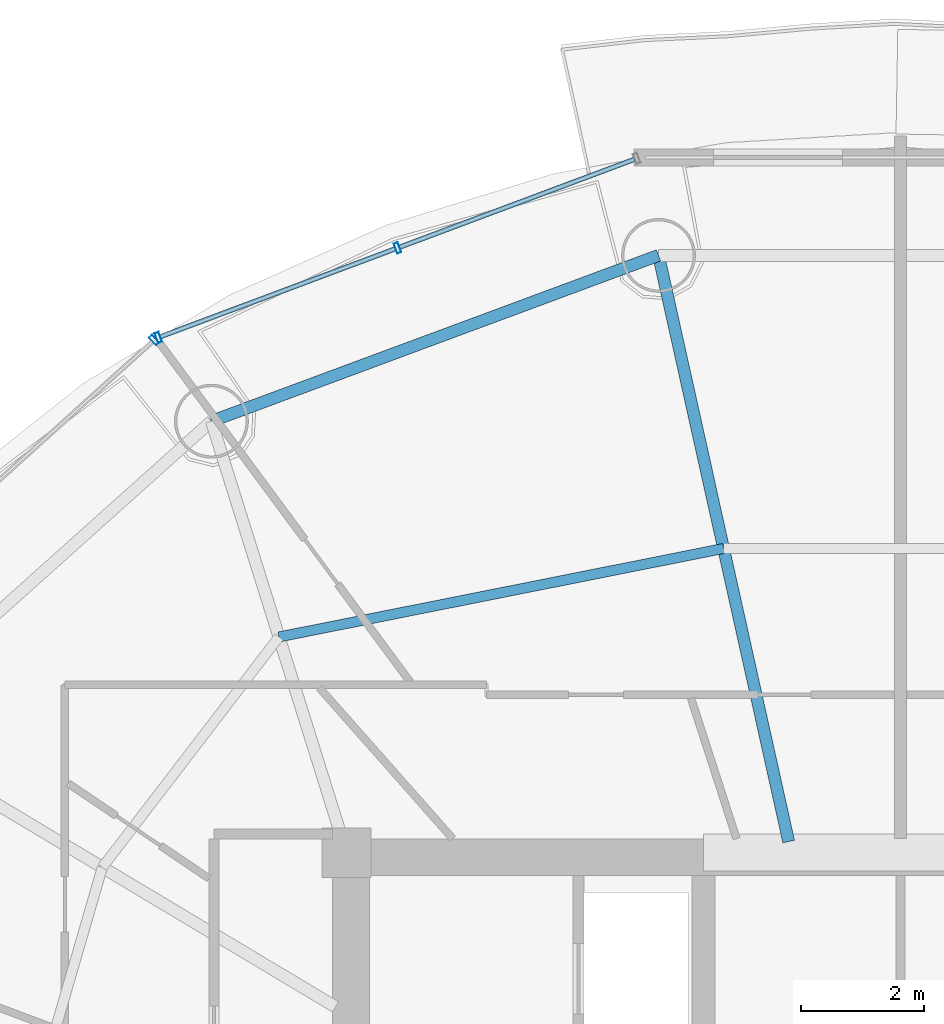
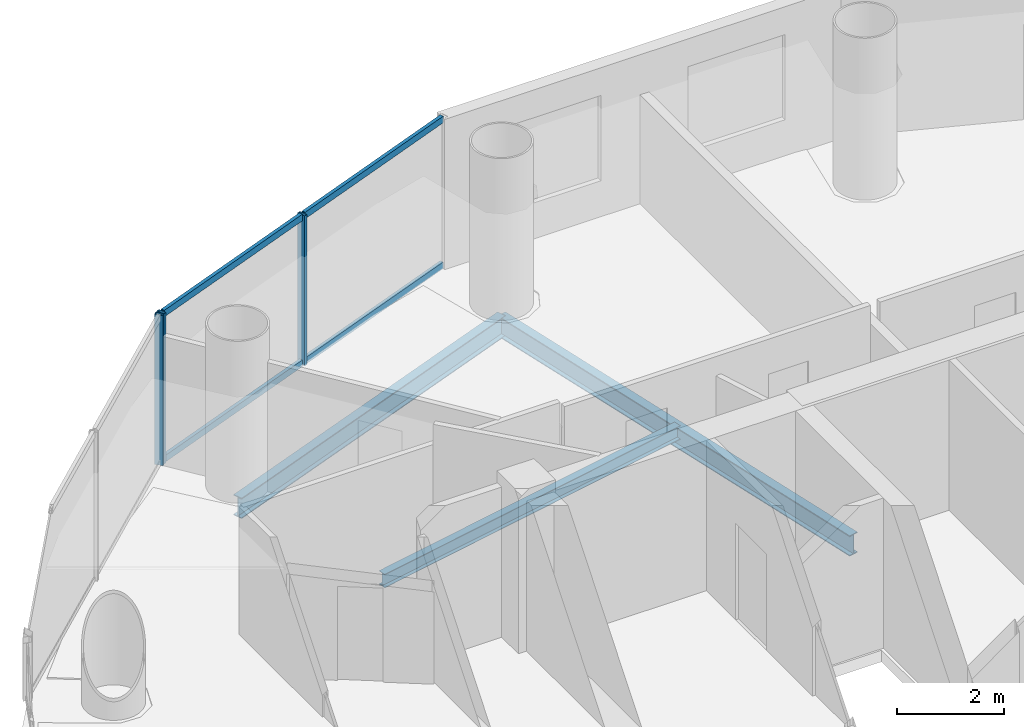
# One storey, part 15 of 26: 7 members, 3 beams, 2 elements without a shape of their own.
"""IFC4 building model written with IfcOpenShell, lengths in metres."""

import ifcopenshell
import ifcopenshell.guid

model = None  # the IFC model being written
_history = None  # IfcOwnerHistory: only IFC2X3 demands one
_inside = {}  # id of a spatial element -> (the spatial element, [elements in it])
_under = {}  # id of a project, library or spatial element -> (it, [spatial elements below it])
_declared = {}  # id of a project -> (the project, [libraries it declares])
_typed = {}  # id of a type object -> (the type object, [elements of that type])
_made_of = {}  # id of a material, layer set ... -> (it, [elements and type objects made of it])


def new_model(schema):
    """Start an empty IFC model of exactly this schema.

    Asked for "IFC4X3", IfcOpenShell would pick the latest addendum, in which some entities
    have other attributes; the version numbers below select the first issue.
    IFC2X3 requires an IfcOwnerHistory on every rooted entity: one is made here for all.
    """
    global model, _history
    if schema == "IFC4X3":
        model = ifcopenshell.file(schema_version=(4, 3, 0, 0))
    else:
        model = ifcopenshell.file(schema=schema)
    _inside.clear()
    _under.clear()
    _declared.clear()
    _typed.clear()
    _made_of.clear()
    _history = None
    if model.schema == "IFC2X3":
        org = make("IfcOrganization", Name="unknown")
        user = make(
            "IfcPersonAndOrganization",
            ThePerson=make("IfcPerson", FamilyName="unknown"),
            TheOrganization=org,
        )
        app = make(
            "IfcApplication",
            ApplicationDeveloper=org,
            Version="unknown",
            ApplicationFullName="unknown",
            ApplicationIdentifier="unknown",
        )
        _history = make(
            "IfcOwnerHistory",
            OwningUser=user,
            OwningApplication=app,
            ChangeAction="ADDED",
            CreationDate=0,
        )
    return model


def make(cls, **values):
    """One entity of the class cls with the attributes given. An attribute that is None is left unset."""
    return model.create_entity(
        cls, **{name: value for name, value in values.items() if value is not None}
    )


def rooted(cls, **values):
    """An entity with a GlobalId (a new one), such as an element, a storey or a relation."""
    return make(cls, GlobalId=ifcopenshell.guid.new(), OwnerHistory=_history, **values)


def si_unit(unit_type, name, prefix=None):
    """IfcSIUnit, for example si_unit("LENGTHUNIT", "METRE", prefix="MILLI")."""
    return make("IfcSIUnit", UnitType=unit_type, Prefix=prefix, Name=name)


def assignment(units):
    """IfcUnitAssignment: the units of a project."""
    return None if units is None else make("IfcUnitAssignment", Units=units)


def point(xyz):
    """IfcCartesianPoint."""
    return None if xyz is None else make("IfcCartesianPoint", Coordinates=xyz)


def direction(xyz):
    """IfcDirection."""
    return None if xyz is None else make("IfcDirection", DirectionRatios=xyz)


def frame(location, z_axis=None, x_axis=None):
    """IfcAxis2Placement3D, a coordinate frame: its origin and axes. An axis left out is left unset."""
    return make(
        "IfcAxis2Placement3D",
        Location=point(location),
        Axis=direction(z_axis),
        RefDirection=direction(x_axis),
    )


def frame_2d(location, x_axis=None):
    """IfcAxis2Placement2D, a coordinate frame in the plane: its origin and x axis."""
    return make(
        "IfcAxis2Placement2D", Location=point(location), RefDirection=direction(x_axis)
    )


def origin():
    """The frame at (0, 0, 0) with its axes left unset."""
    return frame((0.0, 0.0, 0.0))


def origin_2d():
    """The frame at (0, 0) in the plane with its x axis left unset."""
    return frame_2d((0.0, 0.0))


def place(relative_to, where):
    """IfcLocalPlacement: puts the frame where relative to a parent placement (None: the world)."""
    return make(
        "IfcLocalPlacement", PlacementRelTo=relative_to, RelativePlacement=where
    )


def context(
    kind, dimensions, precision=None, world=None, true_north=None, identifier=None
):
    """IfcGeometricRepresentationContext, for example the 3D "Model" context."""
    return make(
        "IfcGeometricRepresentationContext",
        ContextIdentifier=identifier,
        ContextType=kind,
        CoordinateSpaceDimension=dimensions,
        Precision=precision,
        WorldCoordinateSystem=world,
        TrueNorth=true_north,
    )


def subcontext(parent, identifier, kind, view, scale=None):
    """IfcGeometricRepresentationSubContext, for example "Body" below "Model"."""
    return make(
        "IfcGeometricRepresentationSubContext",
        ContextIdentifier=identifier,
        ContextType=kind,
        ParentContext=parent,
        TargetScale=scale,
        TargetView=view,
    )


def project(units=None, contexts=None):
    """IfcProject with its units and contexts."""
    return rooted(
        "IfcProject",
        Name="project",
        RepresentationContexts=contexts,
        UnitsInContext=assignment(units),
    )


def spatial(cls, under=None, at=None, **own):
    """A site, building, storey or space (cls), placed at a placement, below another one or the project."""
    s = rooted(cls, ObjectPlacement=at, **own)
    if under is not None:
        _under.setdefault(under.id(), (under, []))[1].append(s)
    return s


def profile(cls, at=None, kind="AREA", **sizes):
    """A parametric profile (cls). Its sizes go by their IFC names, for example OverallWidth=200.0."""
    return make(cls, ProfileType=kind, Position=at, **sizes)


def hollow_rectangle(**sizes):
    """IfcRectangleHollowProfileDef."""
    return profile("IfcRectangleHollowProfileDef", **sizes)


def i_section(**sizes):
    """IfcIShapeProfileDef."""
    return profile("IfcIShapeProfileDef", **sizes)


def extrude(swept, where, along, depth):
    """IfcExtrudedAreaSolid: the profile swept, set in the frame where, extruded along a direction by depth."""
    return make(
        "IfcExtrudedAreaSolid",
        SweptArea=swept,
        Position=where,
        ExtrudedDirection=direction(along),
        Depth=depth,
    )


def shape(context_of_items, identifier, shape_type, items):
    """IfcShapeRepresentation: the items that make up one representation, for example the "Body"."""
    return make(
        "IfcShapeRepresentation",
        ContextOfItems=context_of_items,
        RepresentationIdentifier=identifier,
        RepresentationType=shape_type,
        Items=items,
    )


def source(mapping_origin, context_of_items, identifier, shape_type, items):
    """IfcRepresentationMap: a shape defined once, which mapped items show again and again."""
    return make(
        "IfcRepresentationMap",
        MappingOrigin=mapping_origin,
        MappedRepresentation=shape(context_of_items, identifier, shape_type, items),
    )


def transform(
    local_origin,
    x_axis=None,
    y_axis=None,
    z_axis=None,
    scale=None,
    scale2=None,
    scale3=None,
    uniform=True,
):
    """IfcCartesianTransformationOperator3D, or its non-uniform kind. x_axis, y_axis, z_axis: its Axis1, 2, 3."""
    if uniform:
        return make(
            "IfcCartesianTransformationOperator3D",
            Axis1=direction(x_axis),
            Axis2=direction(y_axis),
            LocalOrigin=point(local_origin),
            Scale=scale,
            Axis3=direction(z_axis),
        )
    return make(
        "IfcCartesianTransformationOperator3DnonUniform",
        Axis1=direction(x_axis),
        Axis2=direction(y_axis),
        LocalOrigin=point(local_origin),
        Scale=scale,
        Axis3=direction(z_axis),
        Scale2=scale2,
        Scale3=scale3,
    )


def mapped(mapping_source, mapping_target):
    """IfcMappedItem: shows the shape of a source again, moved by a transform."""
    return make(
        "IfcMappedItem", MappingSource=mapping_source, MappingTarget=mapping_target
    )


def material(Name=None, Category=None):
    """IfcMaterial."""
    return make("IfcMaterial", Name=Name, Category=Category)


def material_profile(
    of_material, cross_section, Name=None, Category=None, Priority=None
):
    """IfcMaterialProfile: a cross section and its material."""
    return make(
        "IfcMaterialProfile",
        Name=Name,
        Material=of_material,
        Profile=cross_section,
        Priority=Priority,
        Category=Category,
    )


def profile_set(profiles, Name=None, composite=None):
    """IfcMaterialProfileSet."""
    return make(
        "IfcMaterialProfileSet",
        Name=Name,
        MaterialProfiles=profiles,
        CompositeProfile=composite,
    )


def made_of(thing, what):
    """Note that an element or type object is made of a material, layer set ...; save() writes the relation."""
    if what is not None:
        _made_of.setdefault(what.id(), (what, []))[1].append(thing)
    return thing


def type_object(cls, material=None, **own):
    """A type object (cls), such as IfcWallType, which elements share."""
    return made_of(rooted(cls, **own), material)


def element(
    cls,
    number,
    at=None,
    inside=None,
    cuts=None,
    type_object=None,
    material=None,
    context=None,
    identifier="Body",
    shape_type=None,
    held_by="IfcProductDefinitionShape",
    body=None,
    shapes=None,
    **own,
):
    """One element of the class cls, such as IfcWall. Its Tag is "e" and its number.

    at: its placement. inside: the storey or other place that contains it. cuts: it is an
    opening in that element (IfcRelVoidsElement). A single representation is given by context,
    identifier, shape_type and body (its items); several are given by shapes. held_by: the class
    of the entity that holds the representations. save() writes the other relations.
    """
    e = rooted(cls, Tag="e%d" % number, ObjectPlacement=at, **own)
    if body is not None:
        shapes = [shape(context, identifier, shape_type, body)]
    if shapes is not None:
        e.Representation = make(held_by, Representations=shapes)
    if inside is not None:
        _inside.setdefault(inside.id(), (inside, []))[1].append(e)
    if cuts is not None:
        rooted(
            "IfcRelVoidsElement", RelatingBuildingElement=cuts, RelatedOpeningElement=e
        )
    if type_object is not None:
        _typed.setdefault(type_object.id(), (type_object, []))[1].append(e)
    return made_of(e, material)


def aggregate(whole, parts):
    """IfcRelAggregates: a whole, such as a stair, and the parts it consists of."""
    return rooted("IfcRelAggregates", RelatingObject=whole, RelatedObjects=parts)


def save(model, path):
    """Write the relations noted so far, then the file.

    IfcRelAggregates (storeys below a building ...), IfcRelContainedInSpatialStructure (elements
    in a storey), IfcRelDefinesByType, IfcRelAssociatesMaterial and IfcRelDeclares: one each for
    every whole, place, type object, material and project.
    """
    for whole, parts in _under.values():
        aggregate(whole, parts)
    for where, things in _inside.values():
        rooted(
            "IfcRelContainedInSpatialStructure",
            RelatedElements=things,
            RelatingStructure=where,
        )
    for kind, things in _typed.values():
        rooted("IfcRelDefinesByType", RelatedObjects=things, RelatingType=kind)
    for what, things in _made_of.values():
        rooted("IfcRelAssociatesMaterial", RelatedObjects=things, RelatingMaterial=what)
    for by, libraries in _declared.values():
        rooted("IfcRelDeclares", RelatingContext=by, RelatedDefinitions=libraries)
    model.write(path)


model = new_model("IFC4")

# Units and contexts
model_context = context("Model", 3, precision=1e-05, world=origin(), true_north=direction((-0.2419218956, 0.970295726276)))
body_context = subcontext(model_context, "Body", "Model", "MODEL_VIEW")
ifc_project = project(units=[si_unit("LENGTHUNIT", "METRE"), si_unit("AREAUNIT", "SQUARE_METRE"), si_unit("VOLUMEUNIT", "CUBIC_METRE"), si_unit("PLANEANGLEUNIT", "RADIAN"), si_unit("MASSUNIT", "GRAM", prefix="KILO")], contexts=[model_context])

# Site, building, storey
site_placement = place(None, origin())
site = spatial("IfcSite", under=ifc_project, at=site_placement, CompositionType="ELEMENT")
building_placement = place(site_placement, origin())
building = spatial("IfcBuilding", under=site, at=building_placement, Name="Cobrevalo Terracotta Tower", CompositionType="ELEMENT")
storey_placement = place(building_placement, frame((0.0, 0.0, 209.699951171875)))
storey = spatial("IfcBuildingStorey", under=building, at=storey_placement, Name="L55", CompositionType="ELEMENT", Elevation=209.699951171875)

# Beams
ifc_material_1 = material(Name="Steel S355", Category="steel")
ifc_material_profile_1 = material_profile(ifc_material_1, i_section(OverallWidth=0.194091796875, OverallDepth=0.468994140625, WebThickness=0.011474609375, FlangeThickness=0.0205078125, at=origin_2d()), Name="W 460x106")
ifc_profile_set_1 = profile_set([ifc_material_profile_1], Name="Steel S355")
beam_type_1 = type_object("IfcBeamType", Name="Structural Beam W 460x106 (Steel S355)", PredefinedType="BEAM", material=ifc_profile_set_1)
beam_1_placement = place(storey_placement, frame((34.06884765625, 44.503173828125, -0.49951171875), z_axis=(0.216782061165, -0.976220025382, 0.0), x_axis=(0.976220025382, 0.216782061165, 0.0)))
element("IfcBeam", 1, at=beam_1_placement, inside=storey, type_object=beam_type_1, Name="L55 radial floor girder 05", PredefinedType="BEAM", context=body_context, shape_type="SweptSolid", body=[
    extrude(i_section(OverallWidth=0.194091796875, OverallDepth=0.468994140625, WebThickness=0.011474609375, FlangeThickness=0.0205078125, at=origin_2d()), origin(), (0.0, 0.0, 1.0), 9.755126953125),
])
ifc_material_profile_2 = material_profile(ifc_material_1, i_section(OverallWidth=0.1650390625, OverallDepth=0.31005859375, WebThickness=0.005859375, FlangeThickness=0.009765625, at=origin_2d()), Name="W 310x38.7")
ifc_profile_set_2 = profile_set([ifc_material_profile_2], Name="Steel S355")
beam_type_2 = type_object("IfcBeamType", Name="Structural Joist W 310x38.7 (Steel S355)", PredefinedType="JOIST", material=ifc_profile_set_2)
beam_2_placement = place(storey_placement, frame((35.126220703125, 39.74169921875, -0.419921875), z_axis=(-0.980762562197, -0.195204499418, 0.0), x_axis=(0.195204499418, -0.980762562197, 0.0)))
element("IfcBeam", 2, at=beam_2_placement, inside=storey, type_object=beam_type_2, Name="L55 circumferential secondary floor joist 05", PredefinedType="JOIST", context=body_context, shape_type="SweptSolid", body=[
    extrude(i_section(OverallWidth=0.1650390625, OverallDepth=0.31005859375, WebThickness=0.005859375, FlangeThickness=0.009765625, at=origin_2d()), origin(), (0.0, 0.0, 1.0), 7.365234375),
])
ifc_material_profile_3 = material_profile(ifc_material_1, i_section(OverallWidth=0.194091796875, OverallDepth=0.468994140625, WebThickness=0.011474609375, FlangeThickness=0.0205078125, at=origin_2d()), Name="W 460x106")
ifc_profile_set_3 = profile_set([ifc_material_profile_3], Name="Steel S355")
beam_type_3 = type_object("IfcBeamType", Name="Structural Spandrel W 460x106 (Steel S355)", PredefinedType="SPANDREL", material=ifc_profile_set_3)
beam_3_placement = place(storey_placement, frame((34.06884765625, 44.503173828125, -0.49951171875), z_axis=(-0.937545996665, -0.347861328892, 0.0), x_axis=(0.347861328892, -0.937545996665, 0.0)))
element("IfcBeam", 3, at=beam_3_placement, inside=storey, type_object=beam_type_3, Name="L55 perimeter ring spandrel 05", PredefinedType="SPANDREL", context=body_context, shape_type="SweptSolid", body=[
    extrude(i_section(OverallWidth=0.194091796875, OverallDepth=0.468994140625, WebThickness=0.011474609375, FlangeThickness=0.0205078125, at=origin_2d()), origin(), (0.0, 0.0, 1.0), 7.74755859375),
])

# Curtain wall, members
ifc_material_2 = material(Name="Anodized aluminium", Category="aluminium")
curtain_wall_type = type_object("IfcCurtainWallType", Name="Mid-tower high-wind unitised curtain wall CW-U2", PredefinedType="NOTDEFINED", material=ifc_material_2)
curtain_wall_1_placement = place(storey_placement, origin())
curtain_wall_1 = element("IfcCurtainWall", 4, at=curtain_wall_1_placement, inside=storey, type_object=curtain_wall_type, Name="L55 curtain wall CW-L55-S05", PredefinedType="NOTDEFINED")
ifc_material_profile_4 = material_profile(ifc_material_2, hollow_rectangle(XDim=0.074951171875, YDim=0.14990234375, WallThickness=0.00439453125, at=origin_2d()), Name="CWT 75x150")
ifc_profile_set_4 = profile_set([ifc_material_profile_4], Name="Anodized aluminium")
member_type_1 = type_object("IfcMemberType", Name="Tower unitised aluminium transom 75x150", PredefinedType="USERDEFINED", material=ifc_profile_set_4)
shared_shape_1 = source(origin(), body_context, "Body", "SweptSolid", [
    extrude(hollow_rectangle(XDim=0.074951171875, YDim=0.14990234375, WallThickness=0.00439453125, at=origin_2d()), origin(), (0.0, 0.0, 1.0), 4.069580078125),
])
member_1_placement = place(storey_placement, frame((29.79150390625, 44.609619140625, 0.050048828125), z_axis=(-0.936548420649, -0.350538237259, 0.0), x_axis=(0.350538237259, -0.936548420649, 0.0)))
member_1 = element("IfcMember", 5, at=member_1_placement, type_object=member_type_1, Name="CW-L55-S05 transom B02-T1", ObjectType="TRANSOM", PredefinedType="USERDEFINED", context=body_context, shape_type="MappedRepresentation", body=[
    mapped(shared_shape_1, transform((0.0, 0.0, 0.0), scale=1.0)),
])
member_2_placement = place(storey_placement, frame((29.79150390625, 44.609619140625, 3.385009765625), z_axis=(-0.936548420649, -0.350538237259, 0.0), x_axis=(0.350538237259, -0.936548420649, 0.0)))
member_2 = element("IfcMember", 6, at=member_2_placement, type_object=member_type_1, Name="CW-L55-S05 transom B02-T2", ObjectType="TRANSOM", PredefinedType="USERDEFINED", context=body_context, shape_type="MappedRepresentation", body=[
    mapped(shared_shape_1, transform((0.0, 0.0, 0.0), scale=1.0)),
])
shared_shape_2 = source(origin(), body_context, "Body", "SweptSolid", [
    extrude(hollow_rectangle(XDim=0.074951171875, YDim=0.14990234375, WallThickness=0.00439453125, at=origin_2d()), origin(), (0.0, 0.0, 1.0), 4.06982421875),
])
member_3_placement = place(storey_placement, frame((33.677978515625, 46.06396484375, 0.050048828125), z_axis=(-0.936555791772, -0.350518542873, 0.0), x_axis=(0.350518542873, -0.936555791772, 0.0)))
member_3 = element("IfcMember", 7, at=member_3_placement, type_object=member_type_1, Name="CW-L55-S05 transom B01-T1", ObjectType="TRANSOM", PredefinedType="USERDEFINED", context=body_context, shape_type="MappedRepresentation", body=[
    mapped(shared_shape_2, transform((0.0, 0.0, 0.0), scale=1.0)),
])
member_4_placement = place(storey_placement, frame((33.677978515625, 46.06396484375, 3.385009765625), z_axis=(-0.936555791772, -0.350518542873, 0.0), x_axis=(0.350518542873, -0.936555791772, 0.0)))
member_4 = element("IfcMember", 8, at=member_4_placement, type_object=member_type_1, Name="CW-L55-S05 transom B01-T2", ObjectType="TRANSOM", PredefinedType="USERDEFINED", context=body_context, shape_type="MappedRepresentation", body=[
    mapped(shared_shape_2, transform((0.0, 0.0, 0.0), scale=1.0)),
])
ifc_material_profile_5 = material_profile(ifc_material_2, hollow_rectangle(XDim=0.070068359375, YDim=0.169921875, WallThickness=0.00439453125, at=origin_2d()), Name="CWM 70x170")
ifc_profile_set_5 = profile_set([ifc_material_profile_5], Name="Anodized aluminium")
member_type_2 = type_object("IfcMemberType", Name="Upper tower unitised mullion 70x170", PredefinedType="MULLION", material=ifc_profile_set_5)
shared_shape_3 = source(origin(), body_context, "Body", "SweptSolid", [
    extrude(hollow_rectangle(XDim=0.070068359375, YDim=0.169921875, WallThickness=0.00439453125, at=origin_2d()), origin(), (0.0, 0.0, 1.0), 3.43505859375),
])
member_5_placement = place(storey_placement, frame((29.8291015625, 44.62353515625, 0.0), z_axis=(0.0, 0.0, 1.0), x_axis=(-0.936556004584, -0.350517974259, 0.0)))
member_5 = element("IfcMember", 9, at=member_5_placement, type_object=member_type_2, Name="CW-L55-S05 vertical mullion 02", PredefinedType="MULLION", context=body_context, shape_type="MappedRepresentation", body=[
    mapped(shared_shape_3, transform((0.0, 0.0, 0.0), scale=1.0)),
])
member_6_placement = place(storey_placement, frame((25.942626953125, 43.1689453125, 0.0), z_axis=(0.0, 0.0, 1.0), x_axis=(-0.936556004584, -0.350517974259, 0.0)))
member_6 = element("IfcMember", 10, at=member_6_placement, type_object=member_type_2, Name="CW-L55-S05 vertical mullion 03", PredefinedType="MULLION", context=body_context, shape_type="MappedRepresentation", body=[
    mapped(shared_shape_3, transform((0.0, 0.0, 0.0), scale=1.0)),
])
aggregate(curtain_wall_1, [member_5, member_6, member_3, member_4, member_1, member_2])

# Curtain wall, member
curtain_wall_2_placement = place(storey_placement, origin())
curtain_wall_2 = element("IfcCurtainWall", 11, at=curtain_wall_2_placement, inside=storey, type_object=curtain_wall_type, Name="L55 curtain wall CW-L55-S06", PredefinedType="NOTDEFINED")
member_7_placement = place(storey_placement, frame((25.87548828125, 43.128173828125, 0.0), z_axis=(0.0, 0.0, 1.0), x_axis=(-0.741987542015, -0.670413668935, 0.0)))
member_7 = element("IfcMember", 12, at=member_7_placement, type_object=member_type_2, Name="CW-L55-S06 vertical mullion 01", PredefinedType="MULLION", context=body_context, shape_type="MappedRepresentation", body=[
    mapped(shared_shape_3, transform((0.0, 0.0, 0.0), scale=1.0)),
])
aggregate(curtain_wall_2, [member_7])

save(model, "model.ifc")
